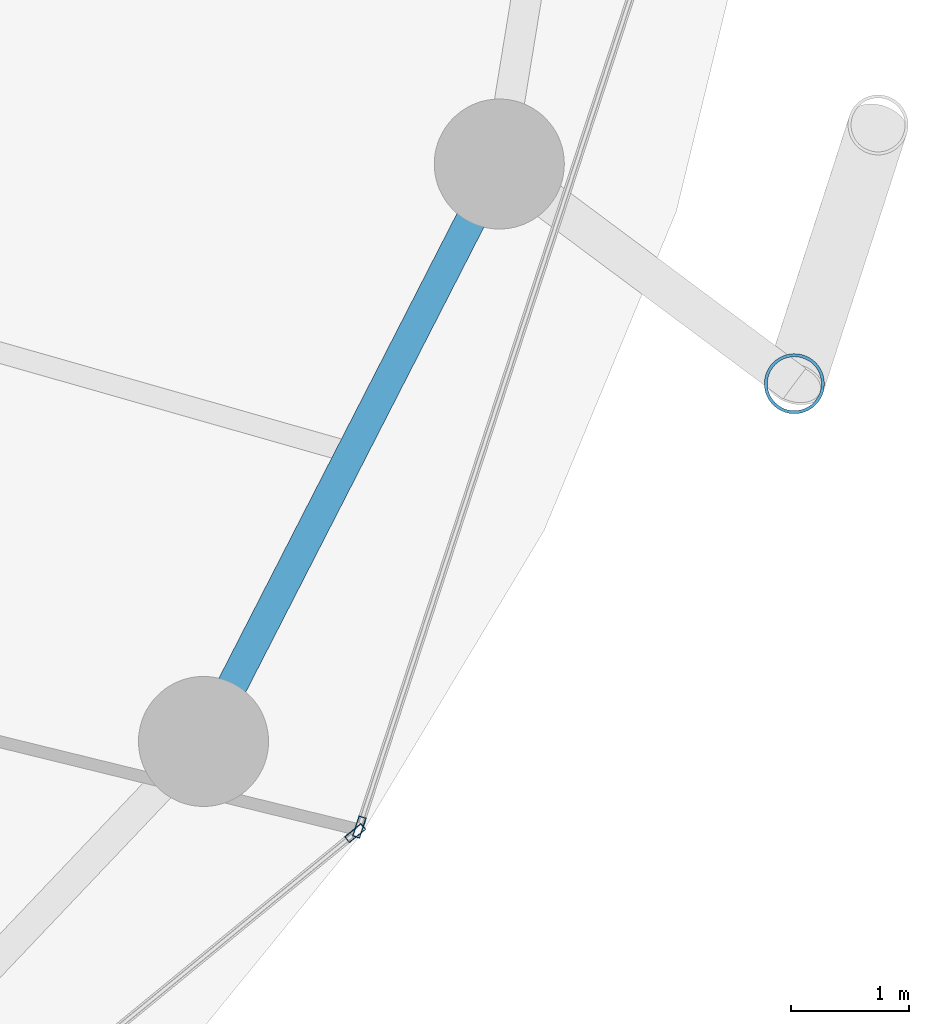
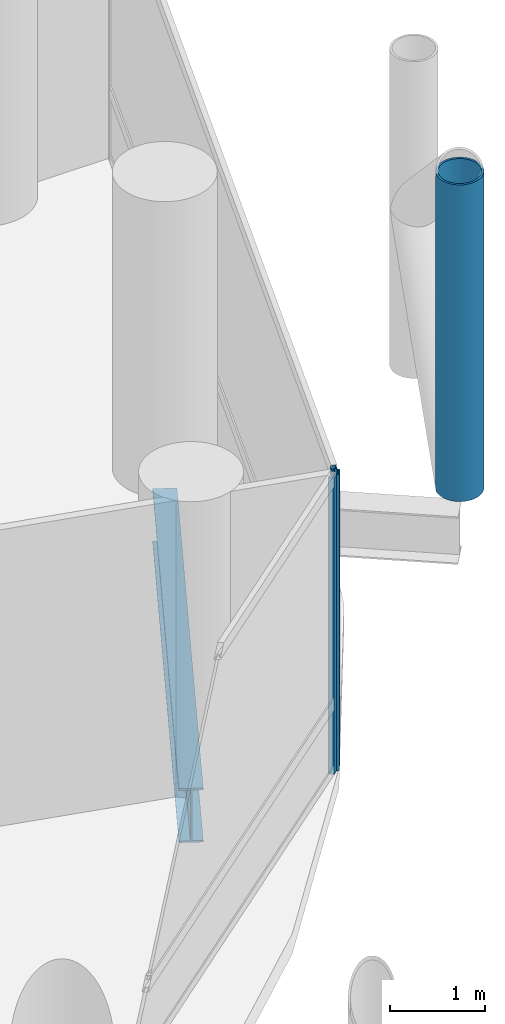
# One storey, part 10 of 24: 3 members, 1 beam, 2 elements without a shape of their own.
"""IFC4 building model written with IfcOpenShell, lengths in metres."""

from ifc_helpers import new_model, si_unit, direction, frame, origin, origin_2d, place, context, subcontext, project, spatial, hollow_rectangle, hollow_circle, i_section, extrude, material, layer, layer_set, material_profile, profile_set, type_object, element, aggregate, save


model = new_model("IFC4")

# Units and contexts
model_context = context("Model", 3, precision=1e-05, world=origin(), true_north=direction((0.0, 1.0)))
body_context = subcontext(model_context, "Body", "Model", "MODEL_VIEW")
ifc_project = project(units=[si_unit("LENGTHUNIT", "METRE"), si_unit("AREAUNIT", "SQUARE_METRE"), si_unit("VOLUMEUNIT", "CUBIC_METRE"), si_unit("PLANEANGLEUNIT", "RADIAN"), si_unit("MASSUNIT", "GRAM", prefix="KILO")], contexts=[model_context])

# Site, building, storey
site_placement = place(None, origin())
site = spatial("IfcSite", under=ifc_project, at=site_placement, CompositionType="ELEMENT")
building_placement = place(site_placement, origin())
building = spatial("IfcBuilding", under=site, at=building_placement, Name="Nuhasar Tower", CompositionType="ELEMENT")
storey_placement = place(building_placement, frame((0.0, 0.0, 33.14990234375)))
storey = spatial("IfcBuildingStorey", under=building, at=storey_placement, Name="L07", CompositionType="ELEMENT", Elevation=33.14990234375)

# Beam
ifc_material_1 = material(Name="Steel S355", Category="steel")
ifc_material_profile_1 = material_profile(ifc_material_1, i_section(OverallWidth=0.256103515625, OverallDepth=0.693115234375, WebThickness=0.014404296875, FlangeThickness=0.023681640625, at=origin_2d()), Name="W27X114")
ifc_profile_set_1 = profile_set([ifc_material_profile_1], Name="Steel S355")
beam_type = type_object("IfcBeamType", Name="BM-RING-W27X114", PredefinedType="SPANDREL", material=ifc_profile_set_1)
beam_placement = place(storey_placement, frame((60.694091796875, 16.675048828125, -0.60595703125), z_axis=(0.455930023905, 0.890015625314, 0.0), x_axis=(-0.890015625314, 0.455930023905, 0.0)))
element("IfcBeam", 1, at=beam_placement, inside=storey, type_object=beam_type, Name="L07 Perimeter Ring Spandrel 23", PredefinedType="SPANDREL", context=body_context, shape_type="SweptSolid", body=[
    extrude(i_section(OverallWidth=0.256103515625, OverallDepth=0.693115234375, WebThickness=0.014404296875, FlangeThickness=0.023681640625, at=origin_2d()), origin(), (0.0, 0.0, 1.0), 5.487548828125),
])

# Curtain wall, member
ifc_material_2 = material(Name="Aluminium 6063-T6", Category="aluminium")
ifc_layer = layer(ifc_material_2, 0.199951171875)
ifc_layer_set = layer_set([ifc_layer], Name="Aluminium 6063-T6")
curtain_wall_type = type_object("IfcCurtainWallType", Name="CW-Z1-OFF", PredefinedType="NOTDEFINED", material=ifc_layer_set)
curtain_wall_1_placement = place(storey_placement, origin())
curtain_wall_1 = element("IfcCurtainWall", 2, at=curtain_wall_1_placement, inside=storey, type_object=curtain_wall_type, Name="L07 Unitised Curtain Wall 11", PredefinedType="NOTDEFINED")
ifc_material_profile_2 = material_profile(ifc_material_2, hollow_rectangle(XDim=0.06494140625, YDim=0.179931640625, WallThickness=0.0048828125, at=origin_2d()), Name="CWM-2")
ifc_profile_set_2 = profile_set([ifc_material_profile_2], Name="Aluminium 6063-T6")
member_type_1 = type_object("IfcMemberType", Name="CW-MUL-S2", PredefinedType="MULLION", material=ifc_profile_set_2)
member_1_placement = place(storey_placement, frame((61.976806640625, 15.8994140625, 0.0), z_axis=(0.0, 0.0, 1.0), x_axis=(-0.633744593376, 0.773542364946, 0.0)))
member_1 = element("IfcMember", 3, at=member_1_placement, type_object=member_type_1, Name="CW-Z1 mullion 2", PredefinedType="MULLION", context=body_context, shape_type="SweptSolid", body=[
    extrude(hollow_rectangle(XDim=0.06494140625, YDim=0.179931640625, WallThickness=0.0048828125, at=origin_2d()), origin(), (0.0, 0.0, 1.0), 3.7900390625),
])
aggregate(curtain_wall_1, [member_1])

curtain_wall_2_placement = place(storey_placement, origin())
curtain_wall_2 = element("IfcCurtainWall", 4, at=curtain_wall_2_placement, inside=storey, type_object=curtain_wall_type, Name="L07 Unitised Curtain Wall 12", PredefinedType="NOTDEFINED")
member_2_placement = place(storey_placement, frame((62.01220703125, 15.950927734375, 0.0), z_axis=(0.0, 0.0, 1.0), x_axis=(-0.950467534571, 0.310823849997, 0.0)))
member_2 = element("IfcMember", 5, at=member_2_placement, type_object=member_type_1, Name="CW-Z1 mullion 1", PredefinedType="MULLION", context=body_context, shape_type="SweptSolid", body=[
    extrude(hollow_rectangle(XDim=0.06494140625, YDim=0.179931640625, WallThickness=0.0048828125, at=origin_2d()), origin(), (0.0, 0.0, 1.0), 3.7900390625),
])
aggregate(curtain_wall_2, [member_2])

# Member
ifc_material_3 = material(Name="Steel S460", Category="steel")
ifc_material_profile_3 = material_profile(ifc_material_3, hollow_circle(Radius=0.25390625, WallThickness=0.025390625, at=origin_2d()), Name="HSS508X25.4")
ifc_profile_set_3 = profile_set([ifc_material_profile_3], Name="Steel S460")
member_type_2 = type_object("IfcMemberType", Name="EXO-BRONZE-508", PredefinedType="BRACE", material=ifc_profile_set_3)
member_3_placement = place(storey_placement, frame((65.69189453125, 19.700927734375, 0.0), z_axis=(0.0, 0.0, 1.0), x_axis=(1.0, 0.0, 0.0)))
element("IfcMember", 6, at=member_3_placement, inside=storey, type_object=member_type_2, Name="L07 Exoskeleton Chord Column EC-12A", PredefinedType="BRACE", context=body_context, shape_type="SweptSolid", body=[
    extrude(hollow_circle(Radius=0.25390625, WallThickness=0.025390625, at=origin_2d()), origin(), (0.0, 0.0, 1.0), 4.050048828125),
])

save(model, "model.ifc")
